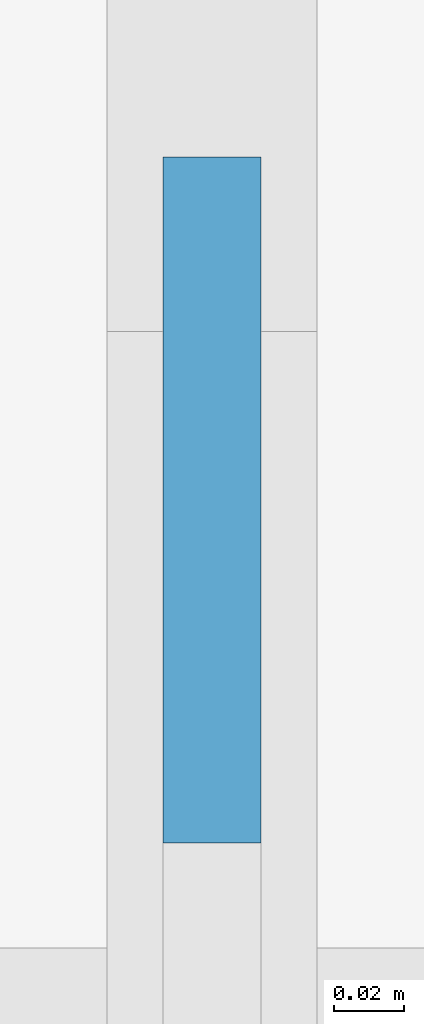
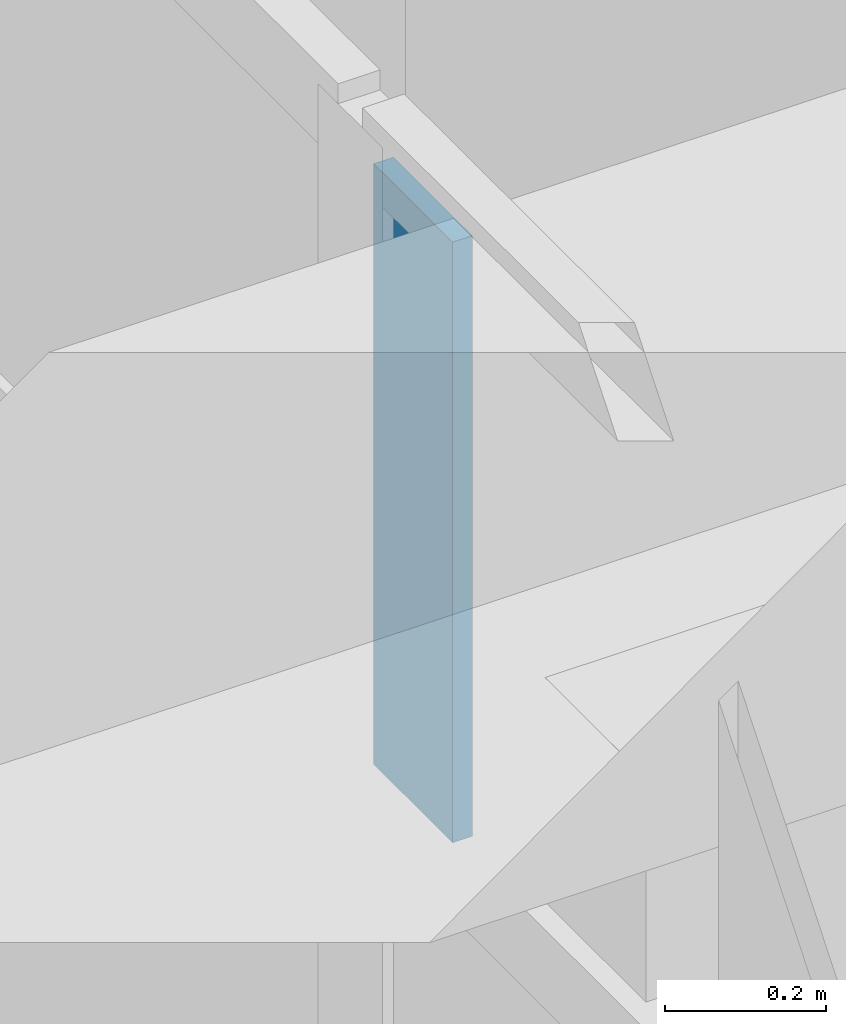
# One storey, part 37 of 85: 1 plate, 1 element without a shape of its own.
"""IFC4 building model written with IfcOpenShell, lengths in metres."""

from ifc_helpers import new_model, si_unit, direction, frame, origin, origin_2d, place, context, subcontext, project, spatial, rectangle, extrude, material, layer, layer_set, type_object, element, aggregate, save


model = new_model("IFC4")

# Units and contexts
model_context = context("Model", 3, precision=1e-05, world=origin(), true_north=direction((0.0, 1.0)))
body_context = subcontext(model_context, "Body", "Model", "MODEL_VIEW")
ifc_project = project(units=[si_unit("LENGTHUNIT", "METRE"), si_unit("AREAUNIT", "SQUARE_METRE"), si_unit("VOLUMEUNIT", "CUBIC_METRE"), si_unit("PLANEANGLEUNIT", "RADIAN"), si_unit("MASSUNIT", "GRAM", prefix="KILO")], contexts=[model_context])

# Site, building, storey
site_placement = place(None, origin())
site = spatial("IfcSite", under=ifc_project, at=site_placement, CompositionType="ELEMENT")
building_placement = place(site_placement, origin())
building = spatial("IfcBuilding", under=site, at=building_placement, Name="Rain Tree Exposition and Congress Centre", CompositionType="ELEMENT")
storey_placement = place(building_placement, frame((0.0, 0.0, 15.0)))
storey = spatial("IfcBuildingStorey", under=building, at=storey_placement, Name="L03", CompositionType="ELEMENT", Elevation=15.0)

# Curtain wall, plate
ifc_material_1 = material(Name="Aluminium curtain wall", Category="aluminium")
curtain_wall_type = type_object("IfcCurtainWallType", Name="Wing curtain wall 1925", PredefinedType="NOTDEFINED", material=ifc_material_1)
curtain_wall_placement = place(storey_placement, origin())
curtain_wall = element("IfcCurtainWall", 1, at=curtain_wall_placement, inside=storey, type_object=curtain_wall_type, Name="Curtain wall CWW507", PredefinedType="NOTDEFINED")
ifc_material_2 = material(Name="Double glazed unit", Category="glass")
ifc_layer = layer(ifc_material_2, 0.028076171875)
ifc_layer_set = layer_set([ifc_layer], Name="Double glazed unit")
plate_type = type_object("IfcPlateType", Name="Wing glazing panel 28", PredefinedType="CURTAIN_PANEL", material=ifc_layer_set)
plate_placement = place(storey_placement, frame((43.60009765625, 8.828125, 3.18017578125), z_axis=(0.0, 0.0, 1.0), x_axis=(0.0, 1.0, 0.0)))
plate = element("IfcPlate", 2, at=plate_placement, type_object=plate_type, Name="CWW507 panel 1.4.2", PredefinedType="CURTAIN_PANEL", context=body_context, shape_type="SweptSolid", body=[
    extrude(rectangle(XDim=0.1962890625, YDim=0.028076171875, at=origin_2d()), origin(), (0.0, 0.0, 1.0), 0.909912109375),
])
aggregate(curtain_wall, [plate])

save(model, "model.ifc")
